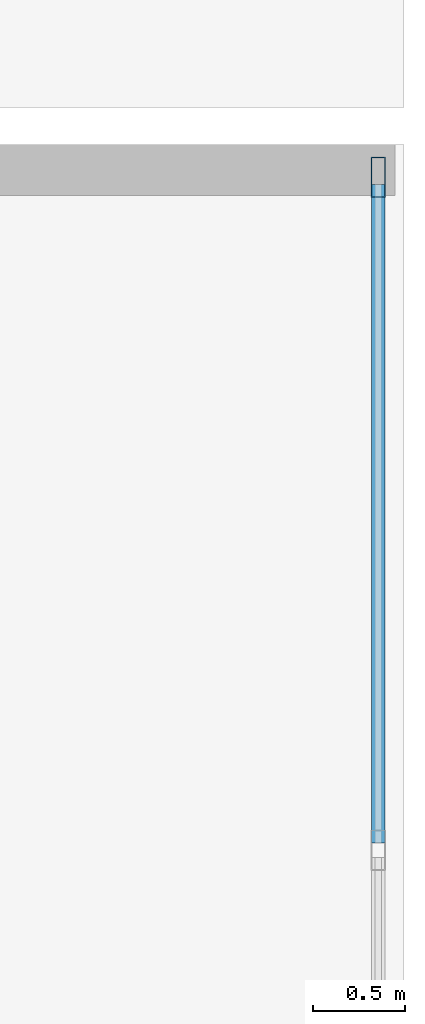
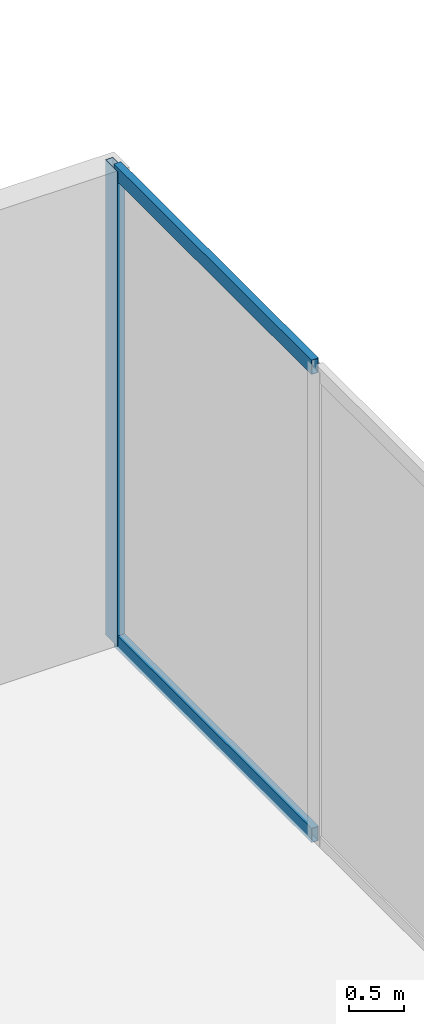
# One storey, part 9 of 17: 3 members, 1 element without a shape of its own.
"""IFC4 building model written with IfcOpenShell, lengths in metres."""

from ifc_helpers import new_model, si_unit, direction, frame, origin, origin_with_axes, origin_2d, place, context, subcontext, project, spatial, hollow_rectangle, extrude, source, transform, mapped, material, layer, layer_set, material_profile, profile_set, type_object, element, aggregate, save


model = new_model("IFC4")

# Units and contexts
model_context = context("Model", 3, precision=1e-05, world=origin(), true_north=direction((0.0, 1.0)))
body_context = subcontext(model_context, "Body", "Model", "MODEL_VIEW")
ifc_project = project(units=[si_unit("LENGTHUNIT", "METRE"), si_unit("AREAUNIT", "SQUARE_METRE"), si_unit("VOLUMEUNIT", "CUBIC_METRE"), si_unit("PLANEANGLEUNIT", "RADIAN"), si_unit("MASSUNIT", "GRAM", prefix="KILO")], contexts=[model_context])

# Site, building, storey
site_placement = place(None, origin())
site = spatial("IfcSite", under=ifc_project, at=site_placement, CompositionType="ELEMENT")
building_placement = place(site_placement, origin())
building = spatial("IfcBuilding", under=site, at=building_placement, Name="Kolvaren Waterfront Exchange", CompositionType="ELEMENT")
storey_placement = place(building_placement, origin())
storey = spatial("IfcBuildingStorey", under=building, at=storey_placement, Name="L01", CompositionType="ELEMENT", Elevation=0.0)

# Curtain wall, members
ifc_material_1 = material(Name="Anodised bronze aluminium 6063-T6", Category="aluminium")
ifc_layer = layer(ifc_material_1, 0.219970703125, Name="Anodised bronze aluminium 6063-T6")
ifc_layer_set = layer_set([ifc_layer], Name="Anodised bronze aluminium 6063-T6")
curtain_wall_type = type_object("IfcCurtainWallType", Name="ARC-CW-SYS4", PredefinedType="USERDEFINED", material=ifc_layer_set)
curtain_wall_placement = place(storey_placement, origin())
curtain_wall = element("IfcCurtainWall", 1, at=curtain_wall_placement, inside=storey, type_object=curtain_wall_type, Name="L01 stick curtain wall CW4 (CW-L01-E1B)", ObjectType="STICK CURTAIN WALL", PredefinedType="USERDEFINED")
ifc_material_2 = material(Name="Anodised aluminium 6063-T6", Category="aluminium")
ifc_material_profile_1 = material_profile(ifc_material_2, hollow_rectangle(XDim=0.080078125, YDim=0.219970703125, WallThickness=0.0048828125, at=origin_2d()), Name="ALU-MUL-220x80x5")
ifc_profile_set_1 = profile_set([ifc_material_profile_1], Name="Anodised aluminium 6063-T6")
member_type_1 = type_object("IfcMemberType", Name="ARC-CWM-220", PredefinedType="MULLION", material=ifc_profile_set_1)
shared_shape_1 = source(origin_with_axes(), body_context, "Body", "SweptSolid", [
    extrude(hollow_rectangle(XDim=0.080078125, YDim=0.219970703125, WallThickness=0.0048828125, at=origin_2d()), origin(), (0.0, 0.0, 1.0), 5.260009765625),
])
member_1_placement = place(storey_placement, frame((64.659912109375, 39.02001953125, 0.0), z_axis=(0.0, 0.0, 1.0), x_axis=(-1.0, 0.0, 0.0)))
member_1 = element("IfcMember", 2, at=member_1_placement, type_object=member_type_1, Name="CW4 mullion 3", PredefinedType="MULLION", context=body_context, shape_type="MappedRepresentation", body=[
    mapped(shared_shape_1, transform((0.0, 0.0, 0.0), x_axis=(1.0, 0.0, 0.0), y_axis=(0.0, 1.0, 0.0), z_axis=(0.0, 0.0, 1.0), scale=1.0)),
])
ifc_material_profile_2 = material_profile(ifc_material_2, hollow_rectangle(XDim=0.074951171875, YDim=0.159912109375, WallThickness=0.00439453125, at=origin_2d()), Name="ALU-TRN-160x75x4.5")
ifc_profile_set_2 = profile_set([ifc_material_profile_2], Name="Anodised aluminium 6063-T6")
member_type_2 = type_object("IfcMemberType", Name="ARC-CWT-160", PredefinedType="USERDEFINED", material=ifc_profile_set_2)
shared_shape_2 = source(origin_with_axes(), body_context, "Body", "SweptSolid", [
    extrude(hollow_rectangle(XDim=0.074951171875, YDim=0.159912109375, WallThickness=0.00439453125, at=origin_2d()), origin(), (0.0, 0.0, 1.0), 3.5849609375),
])
member_2_placement = place(storey_placement, frame((64.659912109375, 35.39501953125, 0.03759765625), z_axis=(0.0, 1.0, 0.0), x_axis=(-1.0, 0.0, 0.0)))
member_2 = element("IfcMember", 3, at=member_2_placement, type_object=member_type_2, Name="CW4 transom 2.1", ObjectType="TRANSOM", PredefinedType="USERDEFINED", context=body_context, shape_type="MappedRepresentation", body=[
    mapped(shared_shape_2, transform((0.0, 0.0, 0.0), x_axis=(1.0, 0.0, 0.0), y_axis=(0.0, 1.0, 0.0), z_axis=(0.0, 0.0, 1.0), scale=1.0)),
])
member_3_placement = place(storey_placement, frame((64.659912109375, 35.39501953125, 5.222412109375), z_axis=(0.0, 1.0, 0.0), x_axis=(-1.0, 0.0, 0.0)))
member_3 = element("IfcMember", 4, at=member_3_placement, type_object=member_type_2, Name="CW4 transom 2.2", ObjectType="TRANSOM", PredefinedType="USERDEFINED", context=body_context, shape_type="MappedRepresentation", body=[
    mapped(shared_shape_2, transform((0.0, 0.0, 0.0), x_axis=(1.0, 0.0, 0.0), y_axis=(0.0, 1.0, 0.0), z_axis=(0.0, 0.0, 1.0), scale=1.0)),
])
aggregate(curtain_wall, [member_1, member_2, member_3])

save(model, "model.ifc")
